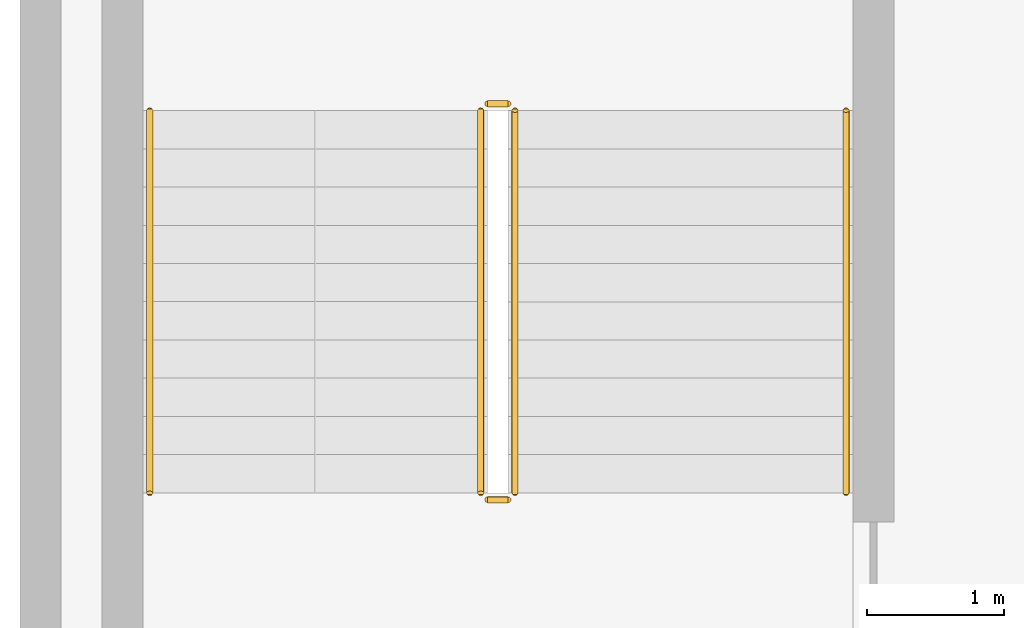
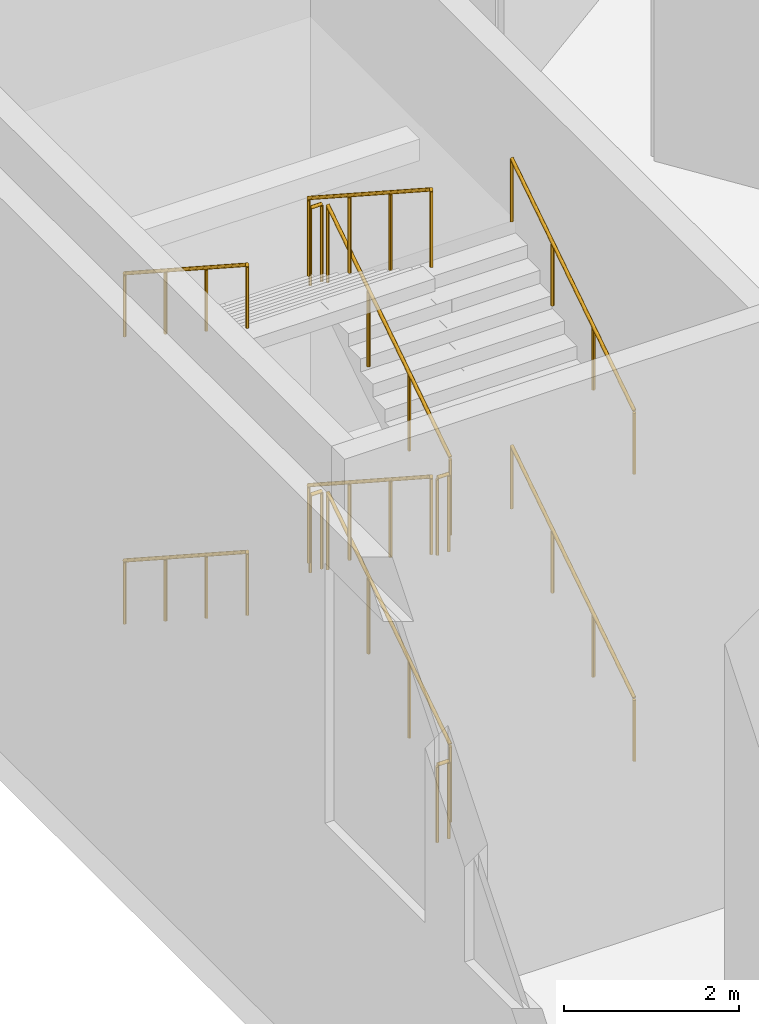
# One storey, part 21 of 27: 12 railings.
"""IFC4 building model written with IfcOpenShell, lengths in metres."""

import ifcopenshell
import ifcopenshell.guid

model = None  # the IFC model being written
_history = None  # IfcOwnerHistory: only IFC2X3 demands one
_inside = {}  # id of a spatial element -> (the spatial element, [elements in it])
_under = {}  # id of a project, library or spatial element -> (it, [spatial elements below it])
_declared = {}  # id of a project -> (the project, [libraries it declares])
_typed = {}  # id of a type object -> (the type object, [elements of that type])
_made_of = {}  # id of a material, layer set ... -> (it, [elements and type objects made of it])


def new_model(schema):
    """Start an empty IFC model of exactly this schema.

    Asked for "IFC4X3", IfcOpenShell would pick the latest addendum, in which some entities
    have other attributes; the version numbers below select the first issue.
    IFC2X3 requires an IfcOwnerHistory on every rooted entity: one is made here for all.
    """
    global model, _history
    if schema == "IFC4X3":
        model = ifcopenshell.file(schema_version=(4, 3, 0, 0))
    else:
        model = ifcopenshell.file(schema=schema)
    _inside.clear()
    _under.clear()
    _declared.clear()
    _typed.clear()
    _made_of.clear()
    _history = None
    if model.schema == "IFC2X3":
        org = make("IfcOrganization", Name="unknown")
        user = make(
            "IfcPersonAndOrganization",
            ThePerson=make("IfcPerson", FamilyName="unknown"),
            TheOrganization=org,
        )
        app = make(
            "IfcApplication",
            ApplicationDeveloper=org,
            Version="unknown",
            ApplicationFullName="unknown",
            ApplicationIdentifier="unknown",
        )
        _history = make(
            "IfcOwnerHistory",
            OwningUser=user,
            OwningApplication=app,
            ChangeAction="ADDED",
            CreationDate=0,
        )
    return model


def make(cls, **values):
    """One entity of the class cls with the attributes given. An attribute that is None is left unset."""
    return model.create_entity(
        cls, **{name: value for name, value in values.items() if value is not None}
    )


def rooted(cls, **values):
    """An entity with a GlobalId (a new one), such as an element, a storey or a relation."""
    return make(cls, GlobalId=ifcopenshell.guid.new(), OwnerHistory=_history, **values)


def si_unit(unit_type, name, prefix=None):
    """IfcSIUnit, for example si_unit("LENGTHUNIT", "METRE", prefix="MILLI")."""
    return make("IfcSIUnit", UnitType=unit_type, Prefix=prefix, Name=name)


def assignment(units):
    """IfcUnitAssignment: the units of a project."""
    return None if units is None else make("IfcUnitAssignment", Units=units)


def point(xyz):
    """IfcCartesianPoint."""
    return None if xyz is None else make("IfcCartesianPoint", Coordinates=xyz)


def direction(xyz):
    """IfcDirection."""
    return None if xyz is None else make("IfcDirection", DirectionRatios=xyz)


def frame(location, z_axis=None, x_axis=None):
    """IfcAxis2Placement3D, a coordinate frame: its origin and axes. An axis left out is left unset."""
    return make(
        "IfcAxis2Placement3D",
        Location=point(location),
        Axis=direction(z_axis),
        RefDirection=direction(x_axis),
    )


def frame_2d(location, x_axis=None):
    """IfcAxis2Placement2D, a coordinate frame in the plane: its origin and x axis."""
    return make(
        "IfcAxis2Placement2D", Location=point(location), RefDirection=direction(x_axis)
    )


def origin():
    """The frame at (0, 0, 0) with its axes left unset."""
    return frame((0.0, 0.0, 0.0))


def origin_2d():
    """The frame at (0, 0) in the plane with its x axis left unset."""
    return frame_2d((0.0, 0.0))


def place(relative_to, where):
    """IfcLocalPlacement: puts the frame where relative to a parent placement (None: the world)."""
    return make(
        "IfcLocalPlacement", PlacementRelTo=relative_to, RelativePlacement=where
    )


def context(
    kind, dimensions, precision=None, world=None, true_north=None, identifier=None
):
    """IfcGeometricRepresentationContext, for example the 3D "Model" context."""
    return make(
        "IfcGeometricRepresentationContext",
        ContextIdentifier=identifier,
        ContextType=kind,
        CoordinateSpaceDimension=dimensions,
        Precision=precision,
        WorldCoordinateSystem=world,
        TrueNorth=true_north,
    )


def subcontext(parent, identifier, kind, view, scale=None):
    """IfcGeometricRepresentationSubContext, for example "Body" below "Model"."""
    return make(
        "IfcGeometricRepresentationSubContext",
        ContextIdentifier=identifier,
        ContextType=kind,
        ParentContext=parent,
        TargetScale=scale,
        TargetView=view,
    )


def project(units=None, contexts=None):
    """IfcProject with its units and contexts."""
    return rooted(
        "IfcProject",
        Name="project",
        RepresentationContexts=contexts,
        UnitsInContext=assignment(units),
    )


def spatial(cls, under=None, at=None, **own):
    """A site, building, storey or space (cls), placed at a placement, below another one or the project."""
    s = rooted(cls, ObjectPlacement=at, **own)
    if under is not None:
        _under.setdefault(under.id(), (under, []))[1].append(s)
    return s


def profile(cls, at=None, kind="AREA", **sizes):
    """A parametric profile (cls). Its sizes go by their IFC names, for example OverallWidth=200.0."""
    return make(cls, ProfileType=kind, Position=at, **sizes)


def circle(**sizes):
    """IfcCircleProfileDef."""
    return profile("IfcCircleProfileDef", **sizes)


def extrude(swept, where, along, depth):
    """IfcExtrudedAreaSolid: the profile swept, set in the frame where, extruded along a direction by depth."""
    return make(
        "IfcExtrudedAreaSolid",
        SweptArea=swept,
        Position=where,
        ExtrudedDirection=direction(along),
        Depth=depth,
    )


def shape(context_of_items, identifier, shape_type, items):
    """IfcShapeRepresentation: the items that make up one representation, for example the "Body"."""
    return make(
        "IfcShapeRepresentation",
        ContextOfItems=context_of_items,
        RepresentationIdentifier=identifier,
        RepresentationType=shape_type,
        Items=items,
    )


def material(Name=None, Category=None):
    """IfcMaterial."""
    return make("IfcMaterial", Name=Name, Category=Category)


def made_of(thing, what):
    """Note that an element or type object is made of a material, layer set ...; save() writes the relation."""
    if what is not None:
        _made_of.setdefault(what.id(), (what, []))[1].append(thing)
    return thing


def type_object(cls, material=None, **own):
    """A type object (cls), such as IfcWallType, which elements share."""
    return made_of(rooted(cls, **own), material)


def element(
    cls,
    number,
    at=None,
    inside=None,
    cuts=None,
    type_object=None,
    material=None,
    context=None,
    identifier="Body",
    shape_type=None,
    held_by="IfcProductDefinitionShape",
    body=None,
    shapes=None,
    **own,
):
    """One element of the class cls, such as IfcWall. Its Tag is "e" and its number.

    at: its placement. inside: the storey or other place that contains it. cuts: it is an
    opening in that element (IfcRelVoidsElement). A single representation is given by context,
    identifier, shape_type and body (its items); several are given by shapes. held_by: the class
    of the entity that holds the representations. save() writes the other relations.
    """
    e = rooted(cls, Tag="e%d" % number, ObjectPlacement=at, **own)
    if body is not None:
        shapes = [shape(context, identifier, shape_type, body)]
    if shapes is not None:
        e.Representation = make(held_by, Representations=shapes)
    if inside is not None:
        _inside.setdefault(inside.id(), (inside, []))[1].append(e)
    if cuts is not None:
        rooted(
            "IfcRelVoidsElement", RelatingBuildingElement=cuts, RelatedOpeningElement=e
        )
    if type_object is not None:
        _typed.setdefault(type_object.id(), (type_object, []))[1].append(e)
    return made_of(e, material)


def aggregate(whole, parts):
    """IfcRelAggregates: a whole, such as a stair, and the parts it consists of."""
    return rooted("IfcRelAggregates", RelatingObject=whole, RelatedObjects=parts)


def save(model, path):
    """Write the relations noted so far, then the file.

    IfcRelAggregates (storeys below a building ...), IfcRelContainedInSpatialStructure (elements
    in a storey), IfcRelDefinesByType, IfcRelAssociatesMaterial and IfcRelDeclares: one each for
    every whole, place, type object, material and project.
    """
    for whole, parts in _under.values():
        aggregate(whole, parts)
    for where, things in _inside.values():
        rooted(
            "IfcRelContainedInSpatialStructure",
            RelatedElements=things,
            RelatingStructure=where,
        )
    for kind, things in _typed.values():
        rooted("IfcRelDefinesByType", RelatedObjects=things, RelatingType=kind)
    for what, things in _made_of.values():
        rooted("IfcRelAssociatesMaterial", RelatedObjects=things, RelatingMaterial=what)
    for by, libraries in _declared.values():
        rooted("IfcRelDeclares", RelatingContext=by, RelatedDefinitions=libraries)
    model.write(path)


model = new_model("IFC4")

# Units and contexts
model_context = context("Model", 3, precision=1e-05, world=origin(), true_north=direction((0.0, 1.0)))
body_context = subcontext(model_context, "Body", "Model", "MODEL_VIEW")
ifc_project = project(units=[si_unit("LENGTHUNIT", "METRE"), si_unit("AREAUNIT", "SQUARE_METRE"), si_unit("VOLUMEUNIT", "CUBIC_METRE"), si_unit("PLANEANGLEUNIT", "RADIAN"), si_unit("MASSUNIT", "GRAM", prefix="KILO")], contexts=[model_context])

# Site, building, storey
site_placement = place(None, origin())
site = spatial("IfcSite", under=ifc_project, at=site_placement, CompositionType="ELEMENT")
building_placement = place(site_placement, origin())
building = spatial("IfcBuilding", under=site, at=building_placement, Name="Tel Ilan Convention Tower", CompositionType="ELEMENT")
storey_placement = place(building_placement, frame((0.0, 0.0, 18.0)))
storey = spatial("IfcBuildingStorey", under=building, at=storey_placement, Name="L02", CompositionType="ELEMENT", Elevation=18.0)

# Railings
ifc_material_1 = material(Name="Stainless Steel Grade 316", Category="steel")
railing_type_1 = type_object("IfcRailingType", Name="Stainless Steel Stair Guard 1100 mm", PredefinedType="GUARDRAIL", material=ifc_material_1)
railing_1_placement = place(storey_placement, frame((-46.375, -40.47509765625, 0.181884765625)))
element("IfcRailing", 1, at=railing_1_placement, inside=storey, type_object=railing_type_1, Name="L02 P7 stair guard 1", PredefinedType="GUARDRAIL", context=body_context, shape_type="SweptSolid", body=[
    extrude(circle(Radius=0.02392578125, at=origin_2d()), frame((0.0, 0.0, 1.076171875), z_axis=(0.0, 0.838705829183, 0.544584733623), x_axis=(-1.0, 0.0, 0.0)), (0.0, 0.0, 1.0), 3.338623046875),
    extrude(circle(Radius=0.02099609375, at=origin_2d()), origin(), (0.0, 0.0, 1.0), 1.052001953125),
    extrude(circle(Radius=0.02099609375, at=origin_2d()), frame((0.0, 0.933349609375, 0.60595703125)), (0.0, 0.0, 1.0), 1.052001953125),
    extrude(circle(Radius=0.02099609375, at=origin_2d()), frame((0.0, 1.86669921875, 1.212158203125)), (0.0, 0.0, 1.0), 1.052001953125),
    extrude(circle(Radius=0.02099609375, at=origin_2d()), frame((0.0, 2.800048828125, 1.818115234375)), (0.0, 0.0, 1.0), 1.052001953125),
])
railing_2_placement = place(storey_placement, frame((-46.425048828125, -37.625, 2.0)))
element("IfcRailing", 2, at=railing_2_placement, inside=storey, type_object=railing_type_1, Name="L02 P7 stair guard 2", PredefinedType="GUARDRAIL", context=body_context, shape_type="SweptSolid", body=[
    extrude(circle(Radius=0.02392578125, at=origin_2d()), frame((0.0, 0.0, 1.076171875), z_axis=(-1.0, 0.0, 0.0), x_axis=(0.0, -1.0, 0.0)), (0.0, 0.0, 1.0), 0.14990234375),
    extrude(circle(Radius=0.02099609375, at=origin_2d()), origin(), (0.0, 0.0, 1.0), 1.052001953125),
    extrude(circle(Radius=0.02099609375, at=origin_2d()), frame((-0.14990234375, 0.0, 0.0)), (0.0, 0.0, 1.0), 1.052001953125),
])
railing_3_placement = place(storey_placement, frame((-46.625, -37.675048828125, 2.181884765625)))
element("IfcRailing", 3, at=railing_3_placement, inside=storey, type_object=railing_type_1, Name="L02 P7 stair guard 3", PredefinedType="GUARDRAIL", context=body_context, shape_type="SweptSolid", body=[
    extrude(circle(Radius=0.02392578125, at=origin_2d()), frame((0.0, 0.0, 1.076171875), z_axis=(0.0, -0.838705829183, 0.544584733623), x_axis=(1.0, 0.0, 0.0)), (0.0, 0.0, 1.0), 3.338623046875),
    extrude(circle(Radius=0.02099609375, at=origin_2d()), origin(), (0.0, 0.0, 1.0), 1.052001953125),
    extrude(circle(Radius=0.02099609375, at=origin_2d()), frame((0.0, -0.933349609375, 0.60595703125)), (0.0, 0.0, 1.0), 1.052001953125),
    extrude(circle(Radius=0.02099609375, at=origin_2d()), frame((0.0, -1.86669921875, 1.212158203125)), (0.0, 0.0, 1.0), 1.052001953125),
    extrude(circle(Radius=0.02099609375, at=origin_2d()), frame((0.0, -2.800048828125, 1.818115234375)), (0.0, 0.0, 1.0), 1.052001953125),
])
railing_4_placement = place(storey_placement, frame((-46.425048828125, -40.52490234375, 4.0)))
element("IfcRailing", 4, at=railing_4_placement, inside=storey, type_object=railing_type_1, Name="L02 P7 stair guard 4", PredefinedType="GUARDRAIL", context=body_context, shape_type="SweptSolid", body=[
    extrude(circle(Radius=0.02392578125, at=origin_2d()), frame((0.0, 0.0, 1.076171875), z_axis=(-1.0, 0.0, 0.0), x_axis=(0.0, -1.0, 0.0)), (0.0, 0.0, 1.0), 0.14990234375),
    extrude(circle(Radius=0.02099609375, at=origin_2d()), origin(), (0.0, 0.0, 1.0), 1.052001953125),
    extrude(circle(Radius=0.02099609375, at=origin_2d()), frame((-0.14990234375, 0.0, 0.0)), (0.0, 0.0, 1.0), 1.052001953125),
])
railing_5_placement = place(storey_placement, frame((-46.375, -40.47509765625, 4.181884765625)))
element("IfcRailing", 5, at=railing_5_placement, inside=storey, type_object=railing_type_1, Name="L02 P7 stair guard 5", PredefinedType="GUARDRAIL", context=body_context, shape_type="SweptSolid", body=[
    extrude(circle(Radius=0.02392578125, at=origin_2d()), frame((0.0, 0.0, 1.076171875), z_axis=(0.0, 0.838705829183, 0.544584733623), x_axis=(-1.0, 0.0, 0.0)), (0.0, 0.0, 1.0), 3.338623046875),
    extrude(circle(Radius=0.02099609375, at=origin_2d()), origin(), (0.0, 0.0, 1.0), 1.052001953125),
    extrude(circle(Radius=0.02099609375, at=origin_2d()), frame((0.0, 0.933349609375, 0.60595703125)), (0.0, 0.0, 1.0), 1.052001953125),
    extrude(circle(Radius=0.02099609375, at=origin_2d()), frame((0.0, 1.86669921875, 1.212158203125)), (0.0, 0.0, 1.0), 1.052001953125),
    extrude(circle(Radius=0.02099609375, at=origin_2d()), frame((0.0, 2.800048828125, 1.818115234375)), (0.0, 0.0, 1.0), 1.052001953125),
])
railing_6_placement = place(storey_placement, frame((-46.425048828125, -37.625, 6.0)))
element("IfcRailing", 6, at=railing_6_placement, inside=storey, type_object=railing_type_1, Name="L02 P7 stair guard 6", PredefinedType="GUARDRAIL", context=body_context, shape_type="SweptSolid", body=[
    extrude(circle(Radius=0.02392578125, at=origin_2d()), frame((0.0, 0.0, 1.076171875), z_axis=(-1.0, 0.0, 0.0), x_axis=(0.0, -1.0, 0.0)), (0.0, 0.0, 1.0), 0.14990234375),
    extrude(circle(Radius=0.02099609375, at=origin_2d()), origin(), (0.0, 0.0, 1.0), 1.052001953125),
    extrude(circle(Radius=0.02099609375, at=origin_2d()), frame((-0.14990234375, 0.0, 0.0)), (0.0, 0.0, 1.0), 1.052001953125),
])
railing_7_placement = place(storey_placement, frame((-46.625, -37.675048828125, 6.181884765625)))
element("IfcRailing", 7, at=railing_7_placement, inside=storey, type_object=railing_type_1, Name="L02 P7 stair guard 7", PredefinedType="GUARDRAIL", context=body_context, shape_type="SweptSolid", body=[
    extrude(circle(Radius=0.02392578125, at=origin_2d()), frame((0.0, 0.0, 1.076171875), z_axis=(0.0, -0.838705829183, 0.544584733623), x_axis=(1.0, 0.0, 0.0)), (0.0, 0.0, 1.0), 3.338623046875),
    extrude(circle(Radius=0.02099609375, at=origin_2d()), origin(), (0.0, 0.0, 1.0), 1.052001953125),
    extrude(circle(Radius=0.02099609375, at=origin_2d()), frame((0.0, -0.933349609375, 0.60595703125)), (0.0, 0.0, 1.0), 1.052001953125),
    extrude(circle(Radius=0.02099609375, at=origin_2d()), frame((0.0, -1.86669921875, 1.212158203125)), (0.0, 0.0, 1.0), 1.052001953125),
    extrude(circle(Radius=0.02099609375, at=origin_2d()), frame((0.0, -2.800048828125, 1.818115234375)), (0.0, 0.0, 1.0), 1.052001953125),
])
railing_8_placement = place(storey_placement, frame((-46.425048828125, -40.52490234375, 0.0)))
element("IfcRailing", 8, at=railing_8_placement, inside=storey, type_object=railing_type_1, Name="L02 P7 stair guard 8", PredefinedType="GUARDRAIL", context=body_context, shape_type="SweptSolid", body=[
    extrude(circle(Radius=0.02392578125, at=origin_2d()), frame((0.0, 0.0, 1.076171875), z_axis=(-1.0, 0.0, 0.0), x_axis=(0.0, -1.0, 0.0)), (0.0, 0.0, 1.0), 0.14990234375),
    extrude(circle(Radius=0.02099609375, at=origin_2d()), origin(), (0.0, 0.0, 1.0), 1.052001953125),
    extrude(circle(Radius=0.02099609375, at=origin_2d()), frame((-0.14990234375, 0.0, 0.0)), (0.0, 0.0, 1.0), 1.052001953125),
])
ifc_material_2 = material(Name="Stainless Steel Grade 316", Category="steel")
railing_type_2 = type_object("IfcRailingType", Name="Stainless Steel Stair Handrail 900 mm", PredefinedType="HANDRAIL", material=ifc_material_2)
railing_9_placement = place(storey_placement, frame((-43.949951171875, -40.47509765625, 0.181884765625)))
element("IfcRailing", 9, at=railing_9_placement, inside=storey, type_object=railing_type_2, Name="L02 P7 stair handrail 1", PredefinedType="HANDRAIL", context=body_context, shape_type="SweptSolid", body=[
    extrude(circle(Radius=0.02392578125, at=origin_2d()), frame((0.0, 0.0, 0.8759765625), z_axis=(0.0, 0.838705829183, 0.544584733623), x_axis=(-1.0, 0.0, 0.0)), (0.0, 0.0, 1.0), 3.338623046875),
    extrude(circle(Radius=0.02099609375, at=origin_2d()), origin(), (0.0, 0.0, 1.0), 0.851806640625),
    extrude(circle(Radius=0.02099609375, at=origin_2d()), frame((0.0, 0.933349609375, 0.60595703125)), (0.0, 0.0, 1.0), 0.851806640625),
    extrude(circle(Radius=0.02099609375, at=origin_2d()), frame((0.0, 1.86669921875, 1.212158203125)), (0.0, 0.0, 1.0), 0.851806640625),
    extrude(circle(Radius=0.02099609375, at=origin_2d()), frame((0.0, 2.800048828125, 1.818115234375)), (0.0, 0.0, 1.0), 0.851806640625),
])
railing_10_placement = place(storey_placement, frame((-49.050048828125, -37.675048828125, 2.181884765625)))
element("IfcRailing", 10, at=railing_10_placement, inside=storey, type_object=railing_type_2, Name="L02 P7 stair handrail 2", PredefinedType="HANDRAIL", context=body_context, shape_type="SweptSolid", body=[
    extrude(circle(Radius=0.02392578125, at=origin_2d()), frame((0.0, 0.0, 0.8759765625), z_axis=(0.0, -0.838705829183, 0.544584733623), x_axis=(1.0, 0.0, 0.0)), (0.0, 0.0, 1.0), 3.338623046875),
    extrude(circle(Radius=0.02099609375, at=origin_2d()), origin(), (0.0, 0.0, 1.0), 0.851806640625),
    extrude(circle(Radius=0.02099609375, at=origin_2d()), frame((0.0, -0.933349609375, 0.60595703125)), (0.0, 0.0, 1.0), 0.851806640625),
    extrude(circle(Radius=0.02099609375, at=origin_2d()), frame((0.0, -1.86669921875, 1.212158203125)), (0.0, 0.0, 1.0), 0.851806640625),
    extrude(circle(Radius=0.02099609375, at=origin_2d()), frame((0.0, -2.800048828125, 1.818115234375)), (0.0, 0.0, 1.0), 0.851806640625),
])
railing_11_placement = place(storey_placement, frame((-43.949951171875, -40.47509765625, 4.181884765625)))
element("IfcRailing", 11, at=railing_11_placement, inside=storey, type_object=railing_type_2, Name="L02 P7 stair handrail 3", PredefinedType="HANDRAIL", context=body_context, shape_type="SweptSolid", body=[
    extrude(circle(Radius=0.02392578125, at=origin_2d()), frame((0.0, 0.0, 0.8759765625), z_axis=(0.0, 0.838705829183, 0.544584733623), x_axis=(-1.0, 0.0, 0.0)), (0.0, 0.0, 1.0), 3.338623046875),
    extrude(circle(Radius=0.02099609375, at=origin_2d()), origin(), (0.0, 0.0, 1.0), 0.851806640625),
    extrude(circle(Radius=0.02099609375, at=origin_2d()), frame((0.0, 0.933349609375, 0.60595703125)), (0.0, 0.0, 1.0), 0.851806640625),
    extrude(circle(Radius=0.02099609375, at=origin_2d()), frame((0.0, 1.86669921875, 1.212158203125)), (0.0, 0.0, 1.0), 0.851806640625),
    extrude(circle(Radius=0.02099609375, at=origin_2d()), frame((0.0, 2.800048828125, 1.818115234375)), (0.0, 0.0, 1.0), 0.851806640625),
])
railing_12_placement = place(storey_placement, frame((-49.050048828125, -37.675048828125, 6.181884765625)))
element("IfcRailing", 12, at=railing_12_placement, inside=storey, type_object=railing_type_2, Name="L02 P7 stair handrail 4", PredefinedType="HANDRAIL", context=body_context, shape_type="SweptSolid", body=[
    extrude(circle(Radius=0.02392578125, at=origin_2d()), frame((0.0, 0.0, 0.8759765625), z_axis=(0.0, -0.838705829183, 0.544584733623), x_axis=(1.0, 0.0, 0.0)), (0.0, 0.0, 1.0), 3.338623046875),
    extrude(circle(Radius=0.02099609375, at=origin_2d()), origin(), (0.0, 0.0, 1.0), 0.851806640625),
    extrude(circle(Radius=0.02099609375, at=origin_2d()), frame((0.0, -0.933349609375, 0.60595703125)), (0.0, 0.0, 1.0), 0.851806640625),
    extrude(circle(Radius=0.02099609375, at=origin_2d()), frame((0.0, -1.86669921875, 1.212158203125)), (0.0, 0.0, 1.0), 0.851806640625),
    extrude(circle(Radius=0.02099609375, at=origin_2d()), frame((0.0, -2.800048828125, 1.818115234375)), (0.0, 0.0, 1.0), 0.851806640625),
])

save(model, "model.ifc")
